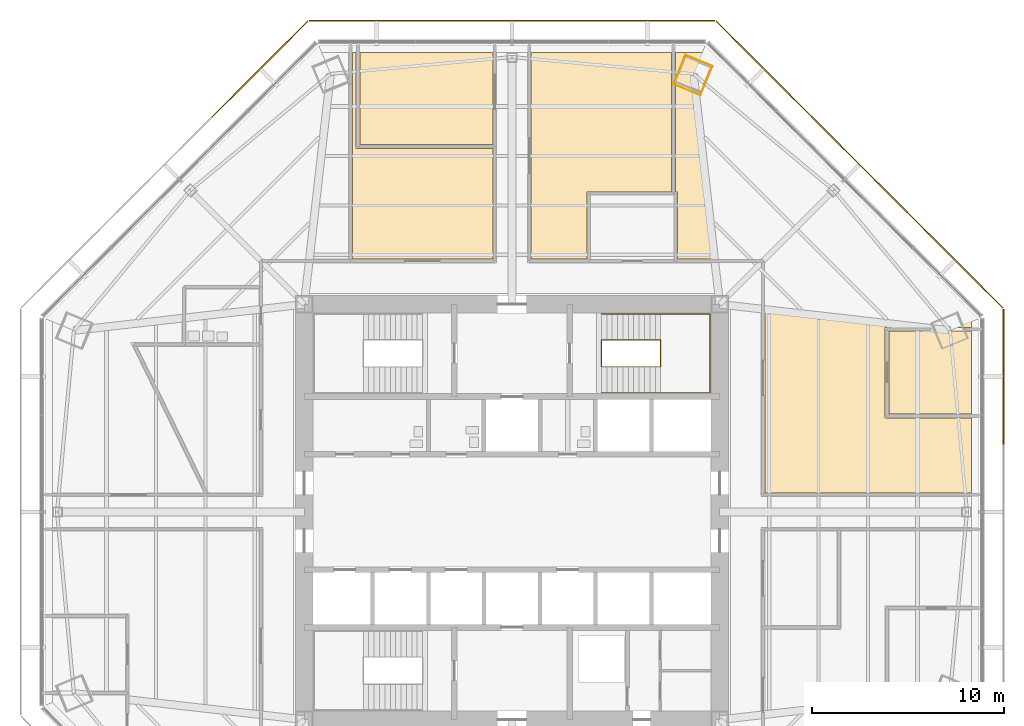
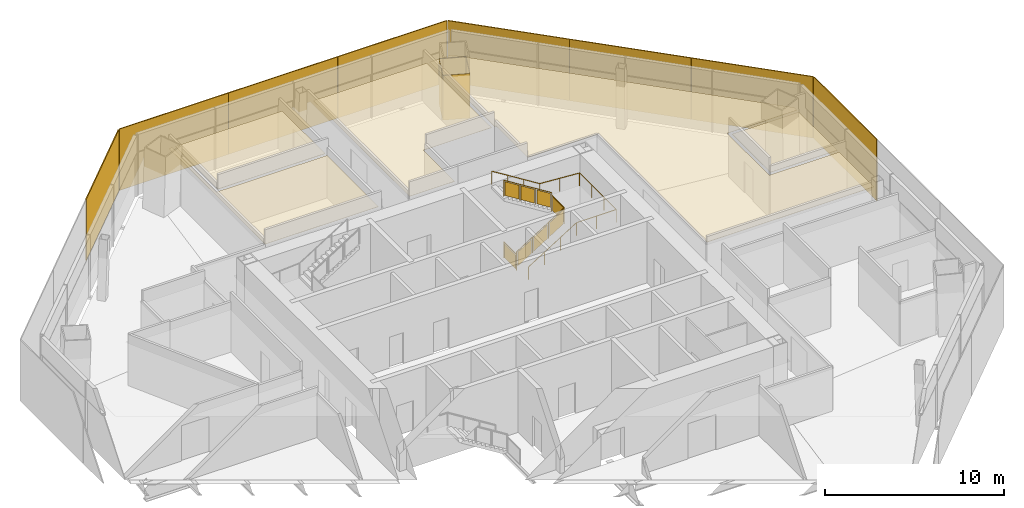
# One storey, part 14 of 15: 8 shading devices, 6 coverings, 2 railings.
"""IFC4 building model written with IfcOpenShell, lengths in metres."""

import ifcopenshell
import ifcopenshell.guid

model = None  # the IFC model being written
_history = None  # IfcOwnerHistory: only IFC2X3 demands one
_inside = {}  # id of a spatial element -> (the spatial element, [elements in it])
_under = {}  # id of a project, library or spatial element -> (it, [spatial elements below it])
_declared = {}  # id of a project -> (the project, [libraries it declares])
_typed = {}  # id of a type object -> (the type object, [elements of that type])
_made_of = {}  # id of a material, layer set ... -> (it, [elements and type objects made of it])


def new_model(schema):
    """Start an empty IFC model of exactly this schema.

    Asked for "IFC4X3", IfcOpenShell would pick the latest addendum, in which some entities
    have other attributes; the version numbers below select the first issue.
    IFC2X3 requires an IfcOwnerHistory on every rooted entity: one is made here for all.
    """
    global model, _history
    if schema == "IFC4X3":
        model = ifcopenshell.file(schema_version=(4, 3, 0, 0))
    else:
        model = ifcopenshell.file(schema=schema)
    _inside.clear()
    _under.clear()
    _declared.clear()
    _typed.clear()
    _made_of.clear()
    _history = None
    if model.schema == "IFC2X3":
        org = make("IfcOrganization", Name="unknown")
        user = make(
            "IfcPersonAndOrganization",
            ThePerson=make("IfcPerson", FamilyName="unknown"),
            TheOrganization=org,
        )
        app = make(
            "IfcApplication",
            ApplicationDeveloper=org,
            Version="unknown",
            ApplicationFullName="unknown",
            ApplicationIdentifier="unknown",
        )
        _history = make(
            "IfcOwnerHistory",
            OwningUser=user,
            OwningApplication=app,
            ChangeAction="ADDED",
            CreationDate=0,
        )
    return model


def make(cls, **values):
    """One entity of the class cls with the attributes given. An attribute that is None is left unset."""
    return model.create_entity(
        cls, **{name: value for name, value in values.items() if value is not None}
    )


def rooted(cls, **values):
    """An entity with a GlobalId (a new one), such as an element, a storey or a relation."""
    return make(cls, GlobalId=ifcopenshell.guid.new(), OwnerHistory=_history, **values)


def si_unit(unit_type, name, prefix=None):
    """IfcSIUnit, for example si_unit("LENGTHUNIT", "METRE", prefix="MILLI")."""
    return make("IfcSIUnit", UnitType=unit_type, Prefix=prefix, Name=name)


def assignment(units):
    """IfcUnitAssignment: the units of a project."""
    return None if units is None else make("IfcUnitAssignment", Units=units)


def point(xyz):
    """IfcCartesianPoint."""
    return None if xyz is None else make("IfcCartesianPoint", Coordinates=xyz)


def direction(xyz):
    """IfcDirection."""
    return None if xyz is None else make("IfcDirection", DirectionRatios=xyz)


def frame(location, z_axis=None, x_axis=None):
    """IfcAxis2Placement3D, a coordinate frame: its origin and axes. An axis left out is left unset."""
    return make(
        "IfcAxis2Placement3D",
        Location=point(location),
        Axis=direction(z_axis),
        RefDirection=direction(x_axis),
    )


def frame_2d(location, x_axis=None):
    """IfcAxis2Placement2D, a coordinate frame in the plane: its origin and x axis."""
    return make(
        "IfcAxis2Placement2D", Location=point(location), RefDirection=direction(x_axis)
    )


def origin():
    """The frame at (0, 0, 0) with its axes left unset."""
    return frame((0.0, 0.0, 0.0))


def origin_2d():
    """The frame at (0, 0) in the plane with its x axis left unset."""
    return frame_2d((0.0, 0.0))


def place(relative_to, where):
    """IfcLocalPlacement: puts the frame where relative to a parent placement (None: the world)."""
    return make(
        "IfcLocalPlacement", PlacementRelTo=relative_to, RelativePlacement=where
    )


def context(
    kind, dimensions, precision=None, world=None, true_north=None, identifier=None
):
    """IfcGeometricRepresentationContext, for example the 3D "Model" context."""
    return make(
        "IfcGeometricRepresentationContext",
        ContextIdentifier=identifier,
        ContextType=kind,
        CoordinateSpaceDimension=dimensions,
        Precision=precision,
        WorldCoordinateSystem=world,
        TrueNorth=true_north,
    )


def subcontext(parent, identifier, kind, view, scale=None):
    """IfcGeometricRepresentationSubContext, for example "Body" below "Model"."""
    return make(
        "IfcGeometricRepresentationSubContext",
        ContextIdentifier=identifier,
        ContextType=kind,
        ParentContext=parent,
        TargetScale=scale,
        TargetView=view,
    )


def project(units=None, contexts=None):
    """IfcProject with its units and contexts."""
    return rooted(
        "IfcProject",
        Name="project",
        RepresentationContexts=contexts,
        UnitsInContext=assignment(units),
    )


def spatial(cls, under=None, at=None, **own):
    """A site, building, storey or space (cls), placed at a placement, below another one or the project."""
    s = rooted(cls, ObjectPlacement=at, **own)
    if under is not None:
        _under.setdefault(under.id(), (under, []))[1].append(s)
    return s


def polyline(points):
    """IfcPolyline through the points."""
    return make("IfcPolyline", Points=[point(p) for p in points])


def profile(cls, at=None, kind="AREA", **sizes):
    """A parametric profile (cls). Its sizes go by their IFC names, for example OverallWidth=200.0."""
    return make(cls, ProfileType=kind, Position=at, **sizes)


def rectangle(**sizes):
    """IfcRectangleProfileDef."""
    return profile("IfcRectangleProfileDef", **sizes)


def circle(**sizes):
    """IfcCircleProfileDef."""
    return profile("IfcCircleProfileDef", **sizes)


def outline(outer, holes=None, kind="AREA"):
    """IfcArbitraryClosedProfileDef: a profile drawn as a closed curve; with holes, ...WithVoids."""
    if holes is None:
        return make("IfcArbitraryClosedProfileDef", ProfileType=kind, OuterCurve=outer)
    return make(
        "IfcArbitraryProfileDefWithVoids",
        ProfileType=kind,
        OuterCurve=outer,
        InnerCurves=holes,
    )


def extrude(swept, where, along, depth):
    """IfcExtrudedAreaSolid: the profile swept, set in the frame where, extruded along a direction by depth."""
    return make(
        "IfcExtrudedAreaSolid",
        SweptArea=swept,
        Position=where,
        ExtrudedDirection=direction(along),
        Depth=depth,
    )


def shape(context_of_items, identifier, shape_type, items):
    """IfcShapeRepresentation: the items that make up one representation, for example the "Body"."""
    return make(
        "IfcShapeRepresentation",
        ContextOfItems=context_of_items,
        RepresentationIdentifier=identifier,
        RepresentationType=shape_type,
        Items=items,
    )


def source(mapping_origin, context_of_items, identifier, shape_type, items):
    """IfcRepresentationMap: a shape defined once, which mapped items show again and again."""
    return make(
        "IfcRepresentationMap",
        MappingOrigin=mapping_origin,
        MappedRepresentation=shape(context_of_items, identifier, shape_type, items),
    )


def transform(
    local_origin,
    x_axis=None,
    y_axis=None,
    z_axis=None,
    scale=None,
    scale2=None,
    scale3=None,
    uniform=True,
):
    """IfcCartesianTransformationOperator3D, or its non-uniform kind. x_axis, y_axis, z_axis: its Axis1, 2, 3."""
    if uniform:
        return make(
            "IfcCartesianTransformationOperator3D",
            Axis1=direction(x_axis),
            Axis2=direction(y_axis),
            LocalOrigin=point(local_origin),
            Scale=scale,
            Axis3=direction(z_axis),
        )
    return make(
        "IfcCartesianTransformationOperator3DnonUniform",
        Axis1=direction(x_axis),
        Axis2=direction(y_axis),
        LocalOrigin=point(local_origin),
        Scale=scale,
        Axis3=direction(z_axis),
        Scale2=scale2,
        Scale3=scale3,
    )


def mapped(mapping_source, mapping_target):
    """IfcMappedItem: shows the shape of a source again, moved by a transform."""
    return make(
        "IfcMappedItem", MappingSource=mapping_source, MappingTarget=mapping_target
    )


def material(Name=None, Category=None):
    """IfcMaterial."""
    return make("IfcMaterial", Name=Name, Category=Category)


def layer(
    of_material, thickness, ventilated=None, Name=None, Category=None, Priority=None
):
    """IfcMaterialLayer: one layer of a wall or slab, of a material (None: an air gap)."""
    return make(
        "IfcMaterialLayer",
        Material=of_material,
        LayerThickness=thickness,
        IsVentilated=ventilated,
        Name=Name,
        Category=Category,
        Priority=Priority,
    )


def layer_set(layers, Name=None):
    """IfcMaterialLayerSet."""
    return make("IfcMaterialLayerSet", MaterialLayers=layers, LayerSetName=Name)


def made_of(thing, what):
    """Note that an element or type object is made of a material, layer set ...; save() writes the relation."""
    if what is not None:
        _made_of.setdefault(what.id(), (what, []))[1].append(thing)
    return thing


def type_object(cls, material=None, **own):
    """A type object (cls), such as IfcWallType, which elements share."""
    return made_of(rooted(cls, **own), material)


def type_shapes(of_type, sources):
    """Give a type object the sources (RepresentationMaps) that its elements show as mapped items."""
    of_type.RepresentationMaps = sources


def element(
    cls,
    number,
    at=None,
    inside=None,
    cuts=None,
    type_object=None,
    material=None,
    context=None,
    identifier="Body",
    shape_type=None,
    held_by="IfcProductDefinitionShape",
    body=None,
    shapes=None,
    **own,
):
    """One element of the class cls, such as IfcWall. Its Tag is "e" and its number.

    at: its placement. inside: the storey or other place that contains it. cuts: it is an
    opening in that element (IfcRelVoidsElement). A single representation is given by context,
    identifier, shape_type and body (its items); several are given by shapes. held_by: the class
    of the entity that holds the representations. save() writes the other relations.
    """
    e = rooted(cls, Tag="e%d" % number, ObjectPlacement=at, **own)
    if body is not None:
        shapes = [shape(context, identifier, shape_type, body)]
    if shapes is not None:
        e.Representation = make(held_by, Representations=shapes)
    if inside is not None:
        _inside.setdefault(inside.id(), (inside, []))[1].append(e)
    if cuts is not None:
        rooted(
            "IfcRelVoidsElement", RelatingBuildingElement=cuts, RelatedOpeningElement=e
        )
    if type_object is not None:
        _typed.setdefault(type_object.id(), (type_object, []))[1].append(e)
    return made_of(e, material)


def aggregate(whole, parts):
    """IfcRelAggregates: a whole, such as a stair, and the parts it consists of."""
    return rooted("IfcRelAggregates", RelatingObject=whole, RelatedObjects=parts)


def save(model, path):
    """Write the relations noted so far, then the file.

    IfcRelAggregates (storeys below a building ...), IfcRelContainedInSpatialStructure (elements
    in a storey), IfcRelDefinesByType, IfcRelAssociatesMaterial and IfcRelDeclares: one each for
    every whole, place, type object, material and project.
    """
    for whole, parts in _under.values():
        aggregate(whole, parts)
    for where, things in _inside.values():
        rooted(
            "IfcRelContainedInSpatialStructure",
            RelatedElements=things,
            RelatingStructure=where,
        )
    for kind, things in _typed.values():
        rooted("IfcRelDefinesByType", RelatedObjects=things, RelatingType=kind)
    for what, things in _made_of.values():
        rooted("IfcRelAssociatesMaterial", RelatedObjects=things, RelatingMaterial=what)
    for by, libraries in _declared.values():
        rooted("IfcRelDeclares", RelatingContext=by, RelatedDefinitions=libraries)
    model.write(path)


model = new_model("IFC4")

# Units and contexts
model_context = context("Model", 3, precision=1e-05, world=origin(), true_north=direction((0.0, 1.0)))
body_context = subcontext(model_context, "Body", "Model", "MODEL_VIEW")
ifc_project = project(units=[si_unit("LENGTHUNIT", "METRE"), si_unit("AREAUNIT", "SQUARE_METRE"), si_unit("VOLUMEUNIT", "CUBIC_METRE"), si_unit("PLANEANGLEUNIT", "RADIAN"), si_unit("MASSUNIT", "GRAM", prefix="KILO")], contexts=[model_context])

# Site, building, storey
site_placement = place(None, origin())
site = spatial("IfcSite", under=ifc_project, at=site_placement, CompositionType="ELEMENT")
building_placement = place(site_placement, origin())
building = spatial("IfcBuilding", under=site, at=building_placement, Name="Mashrafa Tower", CompositionType="ELEMENT")
storey_placement = place(building_placement, frame((0.0, 0.0, 126.0)))
storey = spatial("IfcBuildingStorey", under=building, at=storey_placement, Name="L28", CompositionType="ELEMENT", Elevation=126.0)

# Covering
ifc_material_1 = material(Name="Gypsum board")
ifc_layer_1 = layer(ifc_material_1, 0.014892578125)
ifc_layer_set_1 = layer_set([ifc_layer_1], Name="Column casing plasterboard 15")
covering_type_1 = type_object("IfcCoveringType", Name="Column casing plasterboard 15", PredefinedType="CLADDING", material=ifc_layer_set_1)
covering_1_placement = place(storey_placement, origin())
element("IfcCovering", 1, at=covering_1_placement, inside=storey, type_object=covering_type_1, Name="Column casing L28-001", PredefinedType="CLADDING", context=body_context, shape_type="SweptSolid", body=[
    extrude(outline(polyline([(8.3837890625, 22.239013671875), (8.963623046875, 23.639404296875), (9.018798828125, 23.77197265625), (10.43212890625, 23.1865234375), (9.85205078125, 21.7861328125), (9.797119140625, 21.653564453125), (8.3837890625, 22.239013671875)]), holes=[polyline([(9.83837890625, 21.7919921875), (10.41259765625, 23.178466796875), (9.02685546875, 23.75244140625), (8.9775390625, 23.633544921875), (8.4033203125, 22.2470703125), (9.7890625, 21.673095703125), (9.83837890625, 21.7919921875)])]), origin(), (0.0, 0.0, 1.0), 3.0419921875),
])

# Railings
ifc_material_2 = material(Name="Steel guard with glass infill", Category="steel")
railing_type_1 = type_object("IfcRailingType", Name="Stair guard 1100", PredefinedType="GUARDRAIL", material=ifc_material_2)
railing_1_placement = place(storey_placement, frame((4.64990234375, 8.949951171875, 0.0)))
element("IfcRailing", 2, at=railing_1_placement, inside=storey, type_object=railing_type_1, Name="Stair S2 guard L28", PredefinedType="GUARDRAIL", context=body_context, shape_type="SweptSolid", body=[
    extrude(circle(Radius=0.02392578125, at=origin_2d()), frame((0.0, 0.0, 1.076171875), z_axis=(0.0, -1.0, 0.0), x_axis=(1.0, 0.0, 0.0)), (0.0, 0.0, 1.0), 1.39990234375),
    extrude(circle(Radius=0.02392578125, at=origin_2d()), frame((0.0, -1.39990234375, 1.076171875), z_axis=(0.0, 0.0, 1.0), x_axis=(1.0, 0.0, 0.0)), (0.0, 0.0, 1.0), 0.175048828125),
    extrude(circle(Radius=0.02392578125, at=origin_2d()), frame((0.0, -1.39990234375, 1.2509765625), z_axis=(0.847998304005, 0.0, 0.529998940003), x_axis=(0.0, 1.0, 0.0)), (0.0, 0.0, 1.0), 3.632080078125),
    extrude(circle(Radius=0.02392578125, at=origin_2d()), frame((3.080078125, -1.39990234375, 3.17626953125), z_axis=(0.0, 1.0, 0.0), x_axis=(-1.0, 0.0, 0.0)), (0.0, 0.0, 1.0), 1.39990234375),
    extrude(circle(Radius=0.02392578125, at=origin_2d()), frame((3.080078125, 0.0, 3.17626953125), z_axis=(0.0, 0.0, 1.0), x_axis=(1.0, 0.0, 0.0)), (0.0, 0.0, 1.0), 0.1748046875),
    extrude(circle(Radius=0.02392578125, at=origin_2d()), frame((3.080078125, 0.0, 3.35107421875), z_axis=(-0.847998304005, 0.0, 0.529998940003), x_axis=(0.0, -1.0, 0.0)), (0.0, 0.0, 1.0), 3.632080078125),
    extrude(circle(Radius=0.02099609375, at=origin_2d()), origin(), (0.0, 0.0, 1.0), 1.052001953125),
    extrude(circle(Radius=0.02099609375, at=origin_2d()), frame((0.0, -1.39990234375, 0.0)), (0.0, 0.0, 1.0), 1.052001953125),
    extrude(circle(Radius=0.02099609375, at=origin_2d()), frame((0.0, -1.39990234375, 0.175048828125)), (0.0, 0.0, 1.0), 1.052001953125),
    extrude(circle(Radius=0.02099609375, at=origin_2d()), frame((1.026611328125, -1.39990234375, 0.816650390625)), (0.0, 0.0, 1.0), 1.052001953125),
    extrude(circle(Radius=0.02099609375, at=origin_2d()), frame((2.053466796875, -1.39990234375, 1.45849609375)), (0.0, 0.0, 1.0), 1.052001953125),
    extrude(circle(Radius=0.02099609375, at=origin_2d()), frame((3.080078125, -1.39990234375, 2.10009765625)), (0.0, 0.0, 1.0), 1.052001953125),
    extrude(circle(Radius=0.02099609375, at=origin_2d()), frame((3.080078125, 0.0, 2.10009765625)), (0.0, 0.0, 1.0), 1.052001953125),
    extrude(circle(Radius=0.02099609375, at=origin_2d()), frame((3.080078125, 0.0, 2.27490234375)), (0.0, 0.0, 1.0), 1.052001953125),
    extrude(circle(Radius=0.02099609375, at=origin_2d()), frame((2.053466796875, 0.0, 2.91650390625)), (0.0, 0.0, 1.0), 1.052001953125),
    extrude(circle(Radius=0.02099609375, at=origin_2d()), frame((1.026611328125, 0.0, 3.558349609375)), (0.0, 0.0, 1.0), 1.052001953125),
    extrude(circle(Radius=0.02099609375, at=origin_2d()), frame((0.0, 0.0, 4.199951171875)), (0.0, 0.0, 1.0), 1.052001953125),
    extrude(outline(polyline([(0.071044921875, 0.050048828125), (1.328857421875, 0.050048828125), (1.328857421875, 1.001953125), (0.071044921875, 1.001953125), (0.071044921875, 0.050048828125)])), frame((-0.006103515625, 0.0, 0.0), z_axis=(-1.0, 0.0, 0.0), x_axis=(0.0, -1.0, 0.0)), (0.0, 0.0, 1.0), 0.011962890625),
    extrude(outline(polyline([(0.071044921875, 0.094482421875), (0.955810546875, 0.647216796875), (0.955810546875, 1.599365234375), (0.071044921875, 1.04638671875), (0.071044921875, 0.094482421875)])), frame((0.0, -1.406005859375, 0.175048828125), z_axis=(0.0, -1.0, 0.0), x_axis=(1.0, 0.0, 0.0)), (0.0, 0.0, 1.0), 0.011962890625),
    extrude(outline(polyline([(1.09765625, 0.736083984375), (1.982421875, 1.2890625), (1.982421875, 2.240966796875), (1.09765625, 1.68798828125), (1.09765625, 0.736083984375)])), frame((0.0, -1.406005859375, 0.175048828125), z_axis=(0.0, -1.0, 0.0), x_axis=(1.0, 0.0, 0.0)), (0.0, 0.0, 1.0), 0.011962890625),
    extrude(outline(polyline([(2.124267578125, 1.377685546875), (3.009033203125, 1.9306640625), (3.009033203125, 2.882568359375), (2.124267578125, 2.329833984375), (2.124267578125, 1.377685546875)])), frame((0.0, -1.406005859375, 0.175048828125), z_axis=(0.0, -1.0, 0.0), x_axis=(1.0, 0.0, 0.0)), (0.0, 0.0, 1.0), 0.011962890625),
    extrude(outline(polyline([(0.071044921875, 0.050048828125), (1.328857421875, 0.050048828125), (1.328857421875, 1.001953125), (0.071044921875, 1.001953125), (0.071044921875, 0.050048828125)])), frame((3.086181640625, -1.39990234375, 2.10009765625), z_axis=(1.0, 0.0, 0.0), x_axis=(0.0, 1.0, 0.0)), (0.0, 0.0, 1.0), 0.011962890625),
    extrude(outline(polyline([(0.071044921875, 0.094482421875), (0.955810546875, 0.647216796875), (0.955810546875, 1.599365234375), (0.071044921875, 1.04638671875), (0.071044921875, 0.094482421875)])), frame((3.080078125, 0.006103515625, 2.27490234375), z_axis=(0.0, 1.0, 0.0), x_axis=(-1.0, 0.0, 0.0)), (0.0, 0.0, 1.0), 0.011962890625),
    extrude(outline(polyline([(1.09765625, 0.736083984375), (1.982421875, 1.2890625), (1.982421875, 2.240966796875), (1.09765625, 1.68798828125), (1.09765625, 0.736083984375)])), frame((3.080078125, 0.006103515625, 2.27490234375), z_axis=(0.0, 1.0, 0.0), x_axis=(-1.0, 0.0, 0.0)), (0.0, 0.0, 1.0), 0.011962890625),
    extrude(outline(polyline([(2.124267578125, 1.377685546875), (3.009033203125, 1.9306640625), (3.009033203125, 2.882568359375), (2.124267578125, 2.329833984375), (2.124267578125, 1.377685546875)])), frame((3.080078125, 0.006103515625, 2.27490234375), z_axis=(0.0, 1.0, 0.0), x_axis=(-1.0, 0.0, 0.0)), (0.0, 0.0, 1.0), 0.011962890625),
])
ifc_material_3 = material(Name="Steel", Category="steel")
railing_type_2 = type_object("IfcRailingType", Name="Stair handrail 900", PredefinedType="HANDRAIL", material=ifc_material_3)
railing_2_placement = place(storey_placement, frame((4.64990234375, 6.199951171875, 0.175048828125)))
element("IfcRailing", 3, at=railing_2_placement, inside=storey, type_object=railing_type_2, Name="Stair S2 handrail L28", PredefinedType="HANDRAIL", context=body_context, shape_type="SweptSolid", body=[
    extrude(circle(Radius=0.02392578125, at=origin_2d()), frame((0.0, 0.0, 0.8759765625), z_axis=(0.847998304005, 0.0, 0.529998940003), x_axis=(0.0, 1.0, 0.0)), (0.0, 0.0, 1.0), 3.632080078125),
    extrude(circle(Radius=0.02392578125, at=origin_2d()), frame((3.080078125, 0.0, 2.80078125), z_axis=(1.0, 0.0, 0.0), x_axis=(0.0, 1.0, 0.0)), (0.0, 0.0, 1.0), 2.570068359375),
    extrude(circle(Radius=0.02392578125, at=origin_2d()), frame((5.650146484375, 0.0, 2.80078125), z_axis=(0.0, 1.0, 0.0), x_axis=(-1.0, 0.0, 0.0)), (0.0, 0.0, 1.0), 4.10009765625),
    extrude(circle(Radius=0.02392578125, at=origin_2d()), frame((5.650146484375, 4.10009765625, 2.80078125), z_axis=(-0.99769493506, 0.0, 0.067858798661), x_axis=(0.0, -1.0, 0.0)), (0.0, 0.0, 1.0), 2.575927734375),
    extrude(circle(Radius=0.02392578125, at=origin_2d()), frame((3.080078125, 4.10009765625, 2.9755859375), z_axis=(-0.847998304005, 0.0, 0.529998940003), x_axis=(0.0, -1.0, 0.0)), (0.0, 0.0, 1.0), 3.632080078125),
    extrude(circle(Radius=0.02099609375, at=origin_2d()), origin(), (0.0, 0.0, 1.0), 0.851806640625),
    extrude(circle(Radius=0.02099609375, at=origin_2d()), frame((1.026611328125, 0.0, 0.6416015625)), (0.0, 0.0, 1.0), 0.851806640625),
    extrude(circle(Radius=0.02099609375, at=origin_2d()), frame((2.053466796875, 0.0, 1.283447265625)), (0.0, 0.0, 1.0), 0.851806640625),
    extrude(circle(Radius=0.02099609375, at=origin_2d()), frame((3.080078125, 0.0, 1.925048828125)), (0.0, 0.0, 1.0), 0.851806640625),
    extrude(circle(Radius=0.02099609375, at=origin_2d()), frame((4.365234375, 0.0, 1.925048828125)), (0.0, 0.0, 1.0), 0.851806640625),
    extrude(circle(Radius=0.02099609375, at=origin_2d()), frame((5.650146484375, 0.0, 1.925048828125)), (0.0, 0.0, 1.0), 0.851806640625),
    extrude(circle(Radius=0.02099609375, at=origin_2d()), frame((5.650146484375, 1.36669921875, 1.925048828125)), (0.0, 0.0, 1.0), 0.851806640625),
    extrude(circle(Radius=0.02099609375, at=origin_2d()), frame((5.650146484375, 2.7333984375, 1.925048828125)), (0.0, 0.0, 1.0), 0.851806640625),
    extrude(circle(Radius=0.02099609375, at=origin_2d()), frame((5.650146484375, 4.10009765625, 1.925048828125)), (0.0, 0.0, 1.0), 0.851806640625),
    extrude(circle(Radius=0.02099609375, at=origin_2d()), frame((4.365234375, 4.10009765625, 2.012451171875)), (0.0, 0.0, 1.0), 0.851806640625),
    extrude(circle(Radius=0.02099609375, at=origin_2d()), frame((3.080078125, 4.10009765625, 2.099853515625)), (0.0, 0.0, 1.0), 0.851806640625),
    extrude(circle(Radius=0.02099609375, at=origin_2d()), frame((2.053466796875, 4.10009765625, 2.741455078125)), (0.0, 0.0, 1.0), 0.851806640625),
    extrude(circle(Radius=0.02099609375, at=origin_2d()), frame((1.026611328125, 4.10009765625, 3.38330078125)), (0.0, 0.0, 1.0), 0.851806640625),
    extrude(circle(Radius=0.02099609375, at=origin_2d()), frame((0.0, 4.10009765625, 4.02490234375)), (0.0, 0.0, 1.0), 0.851806640625),
])

# Coverings
ifc_material_4 = material(Name="Mineral fibre tile on suspension grid")
ifc_layer_2 = layer(ifc_material_4, 0.014892578125)
ifc_layer_set_2 = layer_set([ifc_layer_2], Name="Suspended ceiling mineral tile 15")
covering_type_2 = type_object("IfcCoveringType", Name="Suspended ceiling mineral tile 15", PredefinedType="CEILING", material=ifc_layer_set_2)
covering_2_placement = place(storey_placement, frame((0.0, 0.0, 2.89990234375)))
element("IfcCovering", 4, at=covering_2_placement, inside=storey, type_object=covering_type_2, Name="Ceiling Board Room 28-N", PredefinedType="CEILING", context=body_context, shape_type="SweptSolid", body=[
    extrude(outline(polyline([(-7.89990234375, 23.900390625), (-1.0, 23.900390625), (-1.0, 19.100341796875), (-7.89990234375, 19.100341796875), (-7.89990234375, 23.900390625)])), origin(), (0.0, 0.0, 1.0), 0.01513671875),
])
covering_3_placement = place(storey_placement, frame((0.0, 0.0, 2.89990234375)))
element("IfcCovering", 5, at=covering_3_placement, inside=storey, type_object=covering_type_2, Name="Ceiling Meeting Room 28-N-NE1", PredefinedType="CEILING", context=body_context, shape_type="SweptSolid", body=[
    extrude(outline(polyline([(19.600341796875, 9.39990234375), (23.900390625, 9.39990234375), (23.900390625, 5.10009765625), (19.600341796875, 5.10009765625), (19.600341796875, 9.39990234375)])), origin(), (0.0, 0.0, 1.0), 0.01513671875),
])
covering_4_placement = place(storey_placement, frame((0.0, 0.0, 2.89990234375)))
element("IfcCovering", 6, at=covering_4_placement, inside=storey, type_object=covering_type_2, Name="Ceiling Office Tenancy 28-N-NE1", PredefinedType="CEILING", context=body_context, shape_type="SweptSolid", body=[
    extrude(outline(polyline([(8.5, 16.64990234375), (8.5, 23.900390625), (9.89990234375, 23.900390625), (23.900390625, 9.89990234375), (23.900390625, 9.60009765625), (19.400390625, 9.60009765625), (19.400390625, 4.89990234375), (23.900390625, 4.89990234375), (23.900390625, 1.0), (13.14990234375, 1.0), (13.14990234375, 13.14990234375), (8.60009765625, 13.14990234375), (8.60009765625, 16.64990234375), (8.5, 16.64990234375)])), origin(), (0.0, 0.0, 1.0), 0.01513671875),
])
covering_5_placement = place(storey_placement, frame((0.0, 0.0, 2.89990234375)))
element("IfcCovering", 7, at=covering_5_placement, inside=storey, type_object=covering_type_2, Name="Ceiling Office Tenancy 28-N-NE2", PredefinedType="CEILING", context=body_context, shape_type="SweptSolid", body=[
    extrude(outline(polyline([(1.0, 23.900390625), (8.300048828125, 23.900390625), (8.300048828125, 16.64990234375), (3.89990234375, 16.64990234375), (3.89990234375, 13.14990234375), (1.0, 13.14990234375), (1.0, 23.900390625)])), origin(), (0.0, 0.0, 1.0), 0.01513671875),
])
covering_6_placement = place(storey_placement, frame((0.0, 0.0, 2.89990234375)))
element("IfcCovering", 8, at=covering_6_placement, inside=storey, type_object=covering_type_2, Name="Ceiling Office Tenancy 28-N-NW2", PredefinedType="CEILING", context=body_context, shape_type="SweptSolid", body=[
    extrude(outline(polyline([(-8.300048828125, 13.14990234375), (-8.300048828125, 23.900390625), (-8.10009765625, 23.900390625), (-8.10009765625, 18.900390625), (-1.0, 18.900390625), (-1.0, 13.14990234375), (-8.300048828125, 13.14990234375)])), origin(), (0.0, 0.0, 1.0), 0.01513671875),
])

# Shading devices
ifc_material_5 = material(Name="Perforated aluminium plate, eight-point star pattern", Category="aluminium")
ifc_layer_3 = layer(ifc_material_5, 0.06005859375)
ifc_layer_set_3 = layer_set([ifc_layer_3], Name="Mashrabiya screen panel office zone 2, 40 percent open")
shading_device_type = type_object("IfcShadingDeviceType", Name="Mashrabiya screen panel office zone 2, 40 percent open", PredefinedType="SHUTTER", material=ifc_layer_set_3)
shared_shape = source(origin(), body_context, "Body", "SweptSolid", [
    extrude(rectangle(XDim=7.0205078125, YDim=0.06005859375, at=origin_2d()), origin(), (0.0, 0.0, 1.0), 4.179931640625),
])
type_shapes(shading_device_type, [shared_shape])
for number, where, z_axis, x_axis, name in (
    (9, (25.55029296875, 7.04052734375, -0.14990234375), (0.0, 0.0, 1.0), (0.0, 1.0, 0.0), "Mashrabiya screen L28 east 3"),
    (10, (23.045166015625, 13.08837890625, -0.14990234375), (0.0, 0.0, 1.0), (-0.707106781187, 0.707106781187, 0.0), "Mashrabiya screen L28 north-east 1"),
    (11, (18.06689453125, 18.06689453125, -0.14990234375), (0.0, 0.0, 1.0), (-0.707106781187, 0.707106781187, 0.0), "Mashrabiya screen L28 north-east 2"),
    (12, (13.08837890625, 23.045166015625, -0.14990234375), (0.0, 0.0, 1.0), (-0.707106781187, 0.707106781187, 0.0), "Mashrabiya screen L28 north-east 3"),
    (13, (7.04052734375, 25.55029296875, -0.14990234375), (0.0, 0.0, 1.0), (-1.0, 0.0, 0.0), "Mashrabiya screen L28 north 1"),
    (14, (0.0, 25.55029296875, -0.14990234375), (0.0, 0.0, 1.0), (-1.0, 0.0, 0.0), "Mashrabiya screen L28 north 2"),
    (15, (-7.04052734375, 25.55029296875, -0.14990234375), (0.0, 0.0, 1.0), (-1.0, 0.0, 0.0), "Mashrabiya screen L28 north 3"),
    (16, (-13.08837890625, 23.045166015625, -0.14990234375), (0.0, 0.0, 1.0), (-0.707106781187, -0.707106781187, 0.0), "Mashrabiya screen L28 north-west 1"),
):
    element("IfcShadingDevice", number, at=place(storey_placement, frame(where, z_axis=z_axis, x_axis=x_axis)), inside=storey, type_object=shading_device_type, Name=name, PredefinedType="SHUTTER", context=body_context, shape_type="MappedRepresentation", body=[
        mapped(shared_shape, transform((0.0, 0.0, 0.0))),
    ])

save(model, "model.ifc")
